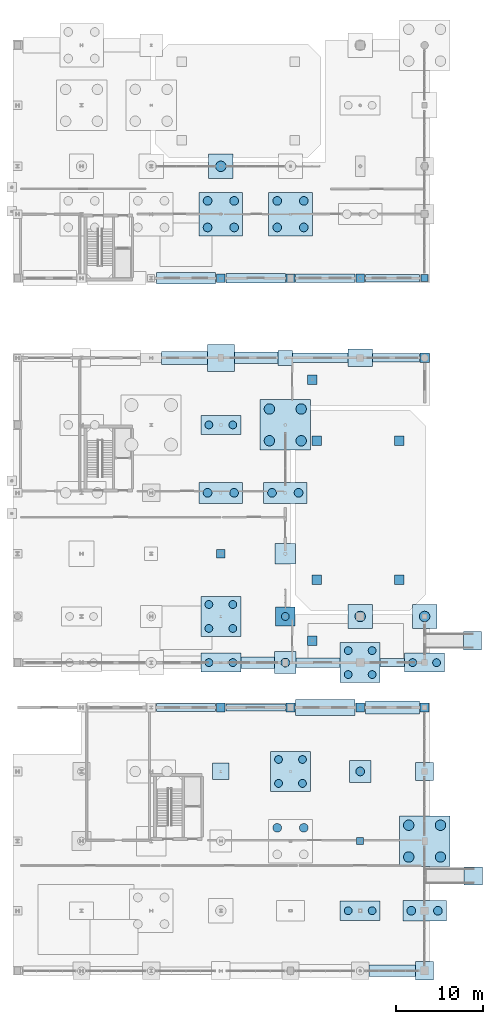
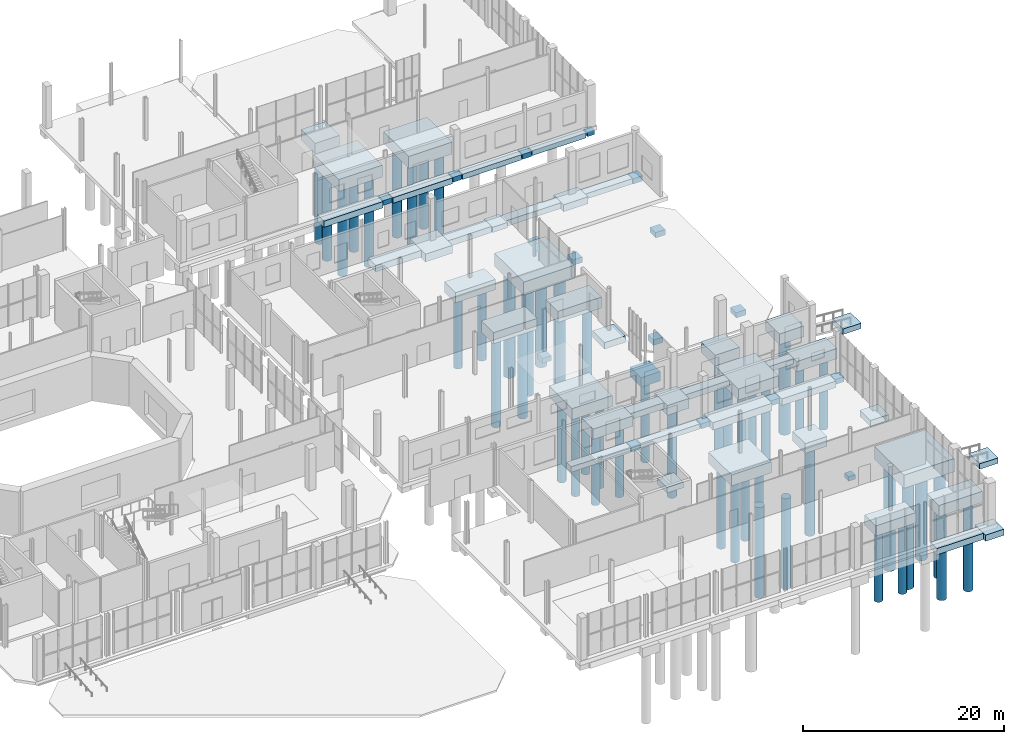
# One storey, part 3 of 87: 62 footings, 50 piles.
"""IFC4 building model written with IfcOpenShell, lengths in metres."""

from ifc_helpers import new_model, si_unit, direction, frame, origin, origin_2d, place, context, subcontext, project, spatial, rectangle, circle, extrude, material, material_profile, profile_set, type_object, element, save


model = new_model("IFC4")

# Units and contexts
model_context = context("Model", 3, precision=1e-05, world=origin(), true_north=direction((0.0, 1.0)))
body_context = subcontext(model_context, "Body", "Model", "MODEL_VIEW")
ifc_project = project(units=[si_unit("LENGTHUNIT", "METRE"), si_unit("AREAUNIT", "SQUARE_METRE"), si_unit("VOLUMEUNIT", "CUBIC_METRE"), si_unit("PLANEANGLEUNIT", "RADIAN"), si_unit("MASSUNIT", "GRAM", prefix="KILO")], contexts=[model_context])

# Site, building, storey
site_placement = place(None, origin())
site = spatial("IfcSite", under=ifc_project, at=site_placement, CompositionType="ELEMENT")
building_placement = place(site_placement, origin())
building = spatial("IfcBuilding", under=site, at=building_placement, Name="Brisemont Oceanarium", CompositionType="ELEMENT")
storey_placement = place(building_placement, origin())
storey = spatial("IfcBuildingStorey", under=building, at=storey_placement, Name="L00", CompositionType="ELEMENT", Elevation=0.0)

# Footings
ifc_material_1 = material(Name="Concrete C40/50", Category="concrete")
footing_type_1 = type_object("IfcFootingType", Name="FTG-PAD-1000", PredefinedType="PAD_FOOTING", material=ifc_material_1)
for number, where, z_axis, x_axis, name in (
    (1, (136.0, 31.35009765625, -1.10009765625), (0.0, 0.0, 1.0), (1.0, 0.0, 0.0), "PF-15 spread footing at (136.0,31.4)"),
    (2, (144.0, 31.35009765625, -1.10009765625), (0.0, 0.0, 1.0), (1.0, 0.0, 0.0), "PF-15 spread footing at (144.0,31.4)"),
    (3, (152.0, 31.35009765625, -1.10009765625), (0.0, 0.0, 1.0), (1.0, 0.0, 0.0), "PF-15 spread footing at (152.0,31.4)"),
    (4, (159.39990234375, 31.35009765625, -1.10009765625), (0.0, 0.0, 1.0), (1.0, 0.0, 0.0), "PF-15 spread footing at (159.4,31.4)"),
    (5, (136.0, 49.0, -1.06005859375), (0.0, 0.0, 1.0), (1.0, 0.0, 0.0), "PF-15 spread footing at (136.0,49.0)"),
    (6, (136.0, 80.64990234375, -1.10009765625), (0.0, 0.0, 1.0), (1.0, 0.0, 0.0), "PF-15 spread footing at (136.0,80.7)"),
    (7, (144.0, 80.64990234375, -1.10009765625), (0.0, 0.0, 1.0), (1.0, 0.0, 0.0), "PF-15 spread footing at (144.0,80.7)"),
    (8, (152.0, 80.64990234375, -1.10009765625), (0.0, 0.0, 1.0), (1.0, 0.0, 0.0), "PF-15 spread footing at (152.0,80.7)"),
):
    element("IfcFooting", number, at=place(storey_placement, frame(where, z_axis=z_axis, x_axis=x_axis)), inside=storey, type_object=footing_type_1, Name=name, PredefinedType="PAD_FOOTING", context=body_context, shape_type="SweptSolid", body=[
        extrude(rectangle(XDim=1.0, YDim=1.0, at=origin_2d()), origin(), (0.0, 0.0, 1.0), 0.60009765625),
    ])
ifc_material_2 = material(Name="Concrete C40/50", Category="concrete")
footing_type_2 = type_object("IfcFootingType", Name="FTG-PAD-1100", PredefinedType="PAD_FOOTING", material=ifc_material_2)
for number, where, z_axis, x_axis, name in (
    (9, (159.39990234375, 71.5, -1.10986328125), (0.0, 0.0, 1.0), (1.0, 0.0, 0.0), "PF-14 spread footing at (159.4,71.5)"),
    (10, (147.0, 46.0, -0.869873046875), (0.0, 0.0, 1.0), (1.0, 0.0, 0.0), "Apron support pad MCRT-1"),
    (11, (156.5, 46.0, -0.869873046875), (0.0, 0.0, 1.0), (1.0, 0.0, 0.0), "Apron support pad MCRT-2"),
    (12, (147.0, 62.0, -0.869873046875), (0.0, 0.0, 1.0), (1.0, 0.0, 0.0), "Apron support pad MCRT-3"),
    (13, (156.5, 62.0, -0.869873046875), (0.0, 0.0, 1.0), (1.0, 0.0, 0.0), "Apron support pad MCRT-4"),
    (14, (146.5, 39.0, -3.050048828125), (0.0, 0.0, 1.0), (1.0, 0.0, 0.0), "PF-14 spread footing at (146.5,39.0)"),
    (15, (146.5, 69.0, -3.050048828125), (0.0, 0.0, 1.0), (1.0, 0.0, 0.0), "PF-14 spread footing at (146.5,69.0)"),
):
    element("IfcFooting", number, at=place(storey_placement, frame(where, z_axis=z_axis, x_axis=x_axis)), inside=storey, type_object=footing_type_2, Name=name, PredefinedType="PAD_FOOTING", context=body_context, shape_type="SweptSolid", body=[
        extrude(rectangle(XDim=1.10009765625, YDim=1.10009765625, at=origin_2d()), origin(), (0.0, 0.0, 1.0), 0.64990234375),
    ])
ifc_material_3 = material(Name="Concrete C40/50", Category="concrete")
footing_type_3 = type_object("IfcFootingType", Name="FTG-PAD-1700", PredefinedType="PAD_FOOTING", material=ifc_material_3)
footing_1_placement = place(storey_placement, frame((143.39990234375, 71.5, -1.10986328125), z_axis=(0.0, 0.0, 1.0), x_axis=(1.0, 0.0, 0.0)))
element("IfcFooting", 16, at=footing_1_placement, inside=storey, type_object=footing_type_3, Name="PF-08 spread footing at (143.4,71.5)", PredefinedType="PAD_FOOTING", context=body_context, shape_type="SweptSolid", body=[
    extrude(rectangle(XDim=1.699951171875, YDim=1.699951171875, at=origin_2d()), origin(), (0.0, 0.0, 1.0), 0.64990234375),
])
ifc_material_4 = material(Name="Concrete C40/50", Category="concrete")
footing_type_4 = type_object("IfcFootingType", Name="FTG-PAD-1900", PredefinedType="PAD_FOOTING", material=ifc_material_4)
footing_2_placement = place(storey_placement, frame((136.0, 24.0, -1.2001953125), z_axis=(0.0, 0.0, 1.0), x_axis=(1.0, 0.0, 0.0)))
element("IfcFooting", 17, at=footing_2_placement, inside=storey, type_object=footing_type_4, Name="PF-07 spread footing at (136.0,24.0)", PredefinedType="PAD_FOOTING", context=body_context, shape_type="SweptSolid", body=[
    extrude(rectangle(XDim=1.89990234375, YDim=1.89990234375, at=origin_2d()), origin(), (0.0, 0.0, 1.0), 0.699951171875),
])
ifc_material_5 = material(Name="Concrete C40/50", Category="concrete")
footing_type_5 = type_object("IfcFootingType", Name="FTG-PAD-2100", PredefinedType="PAD_FOOTING", material=ifc_material_5)
for number, where, z_axis, x_axis, name in (
    (18, (159.39990234375, 1.10009765625, -1.25), (0.0, 0.0, 1.0), (1.0, 0.0, 0.0), "PF-06 spread footing at (159.4,1.1)"),
    (19, (159.39990234375, 24.0, -1.25), (0.0, 0.0, 1.0), (1.0, 0.0, 0.0), "PF-06 spread footing at (159.4,24.0)"),
):
    element("IfcFooting", number, at=place(storey_placement, frame(where, z_axis=z_axis, x_axis=x_axis)), inside=storey, type_object=footing_type_5, Name=name, PredefinedType="PAD_FOOTING", context=body_context, shape_type="SweptSolid", body=[
        extrude(rectangle(XDim=2.10009765625, YDim=2.10009765625, at=origin_2d()), origin(), (0.0, 0.0, 1.0), 0.75),
    ])
for number, where, z_axis, x_axis, name in (
    (20, (165.0, 12.0, -1.079833984375), (0.0, 0.0, 1.0), (1.0, 0.0, 0.0), "Ramp abutment pad 4A"),
    (21, (164.89990234375, 39.0, -1.079833984375), (0.0, 0.0, 1.0), (1.0, 0.0, 0.0), "Ramp abutment pad 5A"),
):
    element("IfcFooting", number, at=place(storey_placement, frame(where, z_axis=z_axis, x_axis=x_axis)), inside=storey, type_object=footing_type_5, Name=name, PredefinedType="PAD_FOOTING", context=body_context, shape_type="SweptSolid", body=[
        extrude(rectangle(XDim=2.10009765625, YDim=2.10009765625, at=origin_2d()), origin(), (0.0, 0.0, 1.0), 0.64990234375),
    ])
ifc_material_6 = material(Name="Concrete C40/50", Category="concrete")
footing_type_6 = type_object("IfcFootingType", Name="FTG-PAD-2400", PredefinedType="PAD_FOOTING", material=ifc_material_6)
footing_3_placement = place(storey_placement, frame((143.39990234375, 49.0, -1.26025390625), z_axis=(0.0, 0.0, 1.0), x_axis=(1.0, 0.0, 0.0)))
element("IfcFooting", 22, at=footing_3_placement, inside=storey, type_object=footing_type_6, Name="PF-05 spread footing at (143.4,49.0)", PredefinedType="PAD_FOOTING", context=body_context, shape_type="SweptSolid", body=[
    extrude(rectangle(XDim=2.39990234375, YDim=2.39990234375, at=origin_2d()), origin(), (0.0, 0.0, 1.0), 0.800048828125),
])
ifc_material_7 = material(Name="Concrete C40/50", Category="concrete")
footing_type_7 = type_object("IfcFootingType", Name="FTG-PAD-2800X2000", PredefinedType="PAD_FOOTING", material=ifc_material_7)
footing_4_placement = place(storey_placement, frame((152.0, 71.5, -1.31005859375), z_axis=(0.0, 0.0, 1.0), x_axis=(1.0, 0.0, 0.0)))
element("IfcFooting", 23, at=footing_4_placement, inside=storey, type_object=footing_type_7, Name="PF-11 spread footing at (152.0,71.5)", PredefinedType="PAD_FOOTING", context=body_context, shape_type="SweptSolid", body=[
    extrude(rectangle(XDim=2.800048828125, YDim=2.0, at=origin_2d()), origin(), (0.0, 0.0, 1.0), 0.85009765625),
])
ifc_material_8 = material(Name="Concrete C40/50", Category="concrete")
footing_type_8 = type_object("IfcFootingType", Name="FTG-PAD-3100", PredefinedType="PAD_FOOTING", material=ifc_material_8)
footing_5_placement = place(storey_placement, frame((136.0, 71.5, -1.41015625), z_axis=(0.0, 0.0, 1.0), x_axis=(1.0, 0.0, 0.0)))
element("IfcFooting", 24, at=footing_5_placement, inside=storey, type_object=footing_type_8, Name="PF-02 spread footing at (136.0,71.5)", PredefinedType="PAD_FOOTING", context=body_context, shape_type="SweptSolid", body=[
    extrude(rectangle(XDim=3.10009765625, YDim=3.10009765625, at=origin_2d()), origin(), (0.0, 0.0, 1.0), 0.949951171875),
])
ifc_material_9 = material(Name="Concrete C40/50", Category="concrete")
footing_type_9 = type_object("IfcFootingType", Name="FTG-PAD-800", PredefinedType="PAD_FOOTING", material=ifc_material_9)
for number, where, z_axis, x_axis, name in (
    (25, (152.0, 16.0, -1.0498046875), (0.0, 0.0, 1.0), (1.0, 0.0, 0.0), "PF-16 spread footing at (152.0,16.0)"),
    (26, (159.39990234375, 80.64990234375, -1.0498046875), (0.0, 0.0, 1.0), (1.0, 0.0, 0.0), "PF-16 spread footing at (159.4,80.7)"),
):
    element("IfcFooting", number, at=place(storey_placement, frame(where, z_axis=z_axis, x_axis=x_axis)), inside=storey, type_object=footing_type_9, Name=name, PredefinedType="PAD_FOOTING", context=body_context, shape_type="SweptSolid", body=[
        extrude(rectangle(XDim=0.800048828125, YDim=0.800048828125, at=origin_2d()), origin(), (0.0, 0.0, 1.0), 0.550048828125),
    ])
ifc_material_10 = material(Name="Concrete C40/50", Category="concrete")
footing_type_10 = type_object("IfcFootingType", Name="FTG-PC-1P-2200", PredefinedType="PILE_CAP", material=ifc_material_10)
footing_6_placement = place(storey_placement, frame((143.39990234375, 41.800048828125, -1.60986328125), z_axis=(0.0, 0.0, 1.0), x_axis=(1.0, 0.0, 0.0)))
element("IfcFooting", 27, at=footing_6_placement, inside=storey, type_object=footing_type_10, Name="PC-10 pile cap at (143.4,41.8)", PredefinedType="PILE_CAP", context=body_context, shape_type="SweptSolid", body=[
    extrude(rectangle(XDim=2.199951171875, YDim=2.199951171875, at=origin_2d()), origin(), (0.0, 0.0, 1.0), 1.14990234375),
])
ifc_material_11 = material(Name="Concrete C40/50", Category="concrete")
footing_type_11 = type_object("IfcFootingType", Name="FTG-PC-1P-2500", PredefinedType="PILE_CAP", material=ifc_material_11)
for number, where, z_axis, x_axis, name in (
    (28, (152.0, 24.0, -1.7001953125), (0.0, 0.0, 1.0), (1.0, 0.0, 0.0), "PC-09 pile cap at (152.0,24.0)"),
    (29, (143.39990234375, 36.5, -1.66015625), (0.0, 0.0, 1.0), (1.0, 0.0, 0.0), "PC-09 pile cap at (143.4,36.5)"),
):
    element("IfcFooting", number, at=place(storey_placement, frame(where, z_axis=z_axis, x_axis=x_axis)), inside=storey, type_object=footing_type_11, Name=name, PredefinedType="PILE_CAP", context=body_context, shape_type="SweptSolid", body=[
        extrude(rectangle(XDim=2.5, YDim=2.5, at=origin_2d()), origin(), (0.0, 0.0, 1.0), 1.199951171875),
    ])
ifc_material_12 = material(Name="Concrete C40/50", Category="concrete")
footing_type_12 = type_object("IfcFootingType", Name="FTG-PC-1P-2800", PredefinedType="PILE_CAP", material=ifc_material_12)
for number, where, z_axis, x_axis, name in (
    (30, (152.0, 41.800048828125, -1.76025390625), (0.0, 0.0, 1.0), (1.0, 0.0, 0.0), "PC-08 pile cap at (152.0,41.8)"),
    (31, (159.39990234375, 41.800048828125, -1.76025390625), (0.0, 0.0, 1.0), (1.0, 0.0, 0.0), "PC-08 pile cap at (159.4,41.8)"),
    (32, (136.0, 93.5, -1.7998046875), (0.0, 0.0, 1.0), (1.0, 0.0, 0.0), "PC-08 pile cap at (136.0,93.5)"),
):
    element("IfcFooting", number, at=place(storey_placement, frame(where, z_axis=z_axis, x_axis=x_axis)), inside=storey, type_object=footing_type_12, Name=name, PredefinedType="PILE_CAP", context=body_context, shape_type="SweptSolid", body=[
        extrude(rectangle(XDim=2.800048828125, YDim=2.800048828125, at=origin_2d()), origin(), (0.0, 0.0, 1.0), 1.300048828125),
    ])
ifc_material_13 = material(Name="Concrete C40/50", Category="concrete")
footing_type_13 = type_object("IfcFootingType", Name="FTG-PC-2P-4600", PredefinedType="PILE_CAP", material=ifc_material_13)
for number, where, z_axis, x_axis, name in (
    (33, (152.0, 8.0, -1.75), (0.0, 0.0, 1.0), (1.0, 0.0, 0.0), "PC-07 pile cap at (152.0,8.0)"),
    (34, (136.0, 36.5, -1.7099609375), (0.0, 0.0, 1.0), (1.0, 0.0, 0.0), "PC-07 pile cap at (136.0,36.5)"),
    (35, (136.0, 63.800048828125, -1.7099609375), (0.0, 0.0, 1.0), (1.0, 0.0, 0.0), "PC-07 pile cap at (136.0,63.8)"),
    (36, (159.39990234375, 36.5, -1.7099609375), (0.0, 0.0, 1.0), (1.0, 0.0, 0.0), "PC-07 pile cap at (159.4,36.5)"),
):
    element("IfcFooting", number, at=place(storey_placement, frame(where, z_axis=z_axis, x_axis=x_axis)), inside=storey, type_object=footing_type_13, Name=name, PredefinedType="PILE_CAP", context=body_context, shape_type="SweptSolid", body=[
        extrude(rectangle(XDim=4.60009765625, YDim=2.199951171875, at=origin_2d()), origin(), (0.0, 0.0, 1.0), 1.25),
    ])
ifc_material_14 = material(Name="Concrete C40/50", Category="concrete")
footing_type_14 = type_object("IfcFootingType", Name="FTG-PC-2P-5000", PredefinedType="PILE_CAP", material=ifc_material_14)
for number, where, z_axis, x_axis, name in (
    (37, (159.39990234375, 8.0, -1.85009765625), (0.0, 0.0, 1.0), (1.0, 0.0, 0.0), "PC-06 pile cap at (159.4,8.0)"),
    (38, (136.0, 56.0, -1.81005859375), (0.0, 0.0, 1.0), (1.0, 0.0, 0.0), "PC-06 pile cap at (136.0,56.0)"),
    (39, (143.39990234375, 56.0, -1.81005859375), (0.0, 0.0, 1.0), (1.0, 0.0, 0.0), "PC-06 pile cap at (143.4,56.0)"),
):
    element("IfcFooting", number, at=place(storey_placement, frame(where, z_axis=z_axis, x_axis=x_axis)), inside=storey, type_object=footing_type_14, Name=name, PredefinedType="PILE_CAP", context=body_context, shape_type="SweptSolid", body=[
        extrude(rectangle(XDim=5.0, YDim=2.39990234375, at=origin_2d()), origin(), (0.0, 0.0, 1.0), 1.35009765625),
    ])
ifc_material_15 = material(Name="Concrete C40/50", Category="concrete")
footing_type_15 = type_object("IfcFootingType", Name="FTG-PC-4P-4600", PredefinedType="PILE_CAP", material=ifc_material_15)
for number, where, z_axis, x_axis, name in (
    (40, (144.0, 24.0, -1.85009765625), (0.0, 0.0, 1.0), (1.0, 0.0, 0.0), "PC-04 pile cap at (144.0,24.0)"),
    (41, (136.0, 41.800048828125, -1.81005859375), (0.0, 0.0, 1.0), (1.0, 0.0, 0.0), "PC-04 pile cap at (136.0,41.8)"),
    (42, (152.0, 36.5, -1.81005859375), (0.0, 0.0, 1.0), (1.0, 0.0, 0.0), "PC-04 pile cap at (152.0,36.5)"),
):
    element("IfcFooting", number, at=place(storey_placement, frame(where, z_axis=z_axis, x_axis=x_axis)), inside=storey, type_object=footing_type_15, Name=name, PredefinedType="PILE_CAP", context=body_context, shape_type="SweptSolid", body=[
        extrude(rectangle(XDim=4.60009765625, YDim=4.60009765625, at=origin_2d()), origin(), (0.0, 0.0, 1.0), 1.35009765625),
    ])
ifc_material_16 = material(Name="Concrete C40/50", Category="concrete")
footing_type_16 = type_object("IfcFootingType", Name="FTG-PC-4P-5000", PredefinedType="PILE_CAP", material=ifc_material_16)
for number, where, z_axis, x_axis, name in (
    (43, (136.0, 88.0, -1.9501953125), (0.0, 0.0, 1.0), (1.0, 0.0, 0.0), "PC-03 pile cap at (136.0,88.0)"),
    (44, (144.0, 88.0, -1.9501953125), (0.0, 0.0, 1.0), (1.0, 0.0, 0.0), "PC-03 pile cap at (144.0,88.0)"),
):
    element("IfcFooting", number, at=place(storey_placement, frame(where, z_axis=z_axis, x_axis=x_axis)), inside=storey, type_object=footing_type_16, Name=name, PredefinedType="PILE_CAP", context=body_context, shape_type="SweptSolid", body=[
        extrude(rectangle(XDim=5.0, YDim=5.0, at=origin_2d()), origin(), (0.0, 0.0, 1.0), 1.449951171875),
    ])
ifc_material_17 = material(Name="Concrete C40/50", Category="concrete")
footing_type_17 = type_object("IfcFootingType", Name="FTG-PC-4P-5800", PredefinedType="PILE_CAP", material=ifc_material_17)
for number, where, z_axis, x_axis, name in (
    (45, (159.39990234375, 16.0, -2.10009765625), (0.0, 0.0, 1.0), (1.0, 0.0, 0.0), "PC-02 pile cap at (159.4,16.0)"),
    (46, (143.39990234375, 63.800048828125, -2.06005859375), (0.0, 0.0, 1.0), (1.0, 0.0, 0.0), "PC-02 pile cap at (143.4,63.8)"),
):
    element("IfcFooting", number, at=place(storey_placement, frame(where, z_axis=z_axis, x_axis=x_axis)), inside=storey, type_object=footing_type_17, Name=name, PredefinedType="PILE_CAP", context=body_context, shape_type="SweptSolid", body=[
        extrude(rectangle(XDim=5.800048828125, YDim=5.800048828125, at=origin_2d()), origin(), (0.0, 0.0, 1.0), 1.60009765625),
    ])
ifc_material_18 = material(Name="Concrete C40/50", Category="concrete")
footing_type_18 = type_object("IfcFootingType", Name="FTG-SF-1100X700", PredefinedType="STRIP_FOOTING", material=ifc_material_18)
footing_7_placement = place(storey_placement, frame((147.175048828125, 36.5, -1.16015625), z_axis=(0.0, 0.0, 1.0), x_axis=(1.0, 0.0, 0.0)))
element("IfcFooting", 47, at=footing_7_placement, inside=storey, type_object=footing_type_18, Name="SF-04 continuous strip footing", PredefinedType="STRIP_FOOTING", context=body_context, shape_type="SweptSolid", body=[
    extrude(rectangle(XDim=5.050048828125, YDim=1.10009765625, at=origin_2d()), origin(), (0.0, 0.0, 1.0), 0.699951171875),
])
footing_8_placement = place(storey_placement, frame((147.425048828125, 71.5, -1.16015625), z_axis=(0.0, 0.0, 1.0), x_axis=(1.0, 0.0, 0.0)))
element("IfcFooting", 48, at=footing_8_placement, inside=storey, type_object=footing_type_18, Name="SF-04 continuous strip footing", PredefinedType="STRIP_FOOTING", context=body_context, shape_type="SweptSolid", body=[
    extrude(rectangle(XDim=6.35009765625, YDim=1.10009765625, at=origin_2d()), origin(), (0.0, 0.0, 1.0), 0.699951171875),
])
footing_9_placement = place(storey_placement, frame((140.0, 80.64990234375, -1.2001953125), z_axis=(0.0, 0.0, 1.0), x_axis=(1.0, 0.0, 0.0)))
element("IfcFooting", 49, at=footing_9_placement, inside=storey, type_object=footing_type_18, Name="SF-04 continuous strip footing", PredefinedType="STRIP_FOOTING", context=body_context, shape_type="SweptSolid", body=[
    extrude(rectangle(XDim=6.800048828125, YDim=1.10009765625, at=origin_2d()), origin(), (0.0, 0.0, 1.0), 0.699951171875),
])
ifc_material_19 = material(Name="Concrete C40/50", Category="concrete")
footing_type_19 = type_object("IfcFootingType", Name="FTG-SF-1300X750", PredefinedType="STRIP_FOOTING", material=ifc_material_19)
footing_10_placement = place(storey_placement, frame((155.675048828125, 1.10009765625, -1.25), z_axis=(0.0, 0.0, 1.0), x_axis=(1.0, 0.0, 0.0)))
element("IfcFooting", 50, at=footing_10_placement, inside=storey, type_object=footing_type_19, Name="SF-03 continuous strip footing", PredefinedType="STRIP_FOOTING", context=body_context, shape_type="SweptSolid", body=[
    extrude(rectangle(XDim=5.35009765625, YDim=1.300048828125, at=origin_2d()), origin(), (0.0, 0.0, 1.0), 0.75),
])
footing_11_placement = place(storey_placement, frame((140.22509765625, 36.5, -1.2099609375), z_axis=(0.0, 0.0, 1.0), x_axis=(1.0, 0.0, 0.0)))
element("IfcFooting", 51, at=footing_11_placement, inside=storey, type_object=footing_type_19, Name="SF-03 continuous strip footing", PredefinedType="STRIP_FOOTING", context=body_context, shape_type="SweptSolid", body=[
    extrude(rectangle(XDim=3.85009765625, YDim=1.300048828125, at=origin_2d()), origin(), (0.0, 0.0, 1.0), 0.75),
])
footing_12_placement = place(storey_placement, frame((140.050048828125, 71.5, -1.2099609375), z_axis=(0.0, 0.0, 1.0), x_axis=(1.0, 0.0, 0.0)))
element("IfcFooting", 52, at=footing_12_placement, inside=storey, type_object=footing_type_19, Name="SF-03 continuous strip footing", PredefinedType="STRIP_FOOTING", context=body_context, shape_type="SweptSolid", body=[
    extrude(rectangle(XDim=5.0, YDim=1.300048828125, at=origin_2d()), origin(), (0.0, 0.0, 1.0), 0.75),
])
footing_13_placement = place(storey_placement, frame((132.0, 80.64990234375, -1.25), z_axis=(0.0, 0.0, 1.0), x_axis=(1.0, 0.0, 0.0)))
element("IfcFooting", 53, at=footing_13_placement, inside=storey, type_object=footing_type_19, Name="SF-03 continuous strip footing", PredefinedType="STRIP_FOOTING", context=body_context, shape_type="SweptSolid", body=[
    extrude(rectangle(XDim=6.800048828125, YDim=1.300048828125, at=origin_2d()), origin(), (0.0, 0.0, 1.0), 0.75),
])
ifc_material_20 = material(Name="Concrete C40/50", Category="concrete")
footing_type_20 = type_object("IfcFootingType", Name="FTG-SF-1500X800", PredefinedType="STRIP_FOOTING", material=ifc_material_20)
footing_14_placement = place(storey_placement, frame((155.699951171875, 31.35009765625, -1.2998046875), z_axis=(0.0, 0.0, 1.0), x_axis=(1.0, 0.0, 0.0)))
element("IfcFooting", 54, at=footing_14_placement, inside=storey, type_object=footing_type_20, Name="SF-02 continuous strip footing", PredefinedType="STRIP_FOOTING", context=body_context, shape_type="SweptSolid", body=[
    extrude(rectangle(XDim=6.199951171875, YDim=1.5, at=origin_2d()), origin(), (0.0, 0.0, 1.0), 0.800048828125),
])
footing_15_placement = place(storey_placement, frame((131.824951171875, 71.5, -1.26025390625), z_axis=(0.0, 0.0, 1.0), x_axis=(1.0, 0.0, 0.0)))
element("IfcFooting", 55, at=footing_15_placement, inside=storey, type_object=footing_type_20, Name="SF-02 continuous strip footing", PredefinedType="STRIP_FOOTING", context=body_context, shape_type="SweptSolid", body=[
    extrude(rectangle(XDim=5.25, YDim=1.5, at=origin_2d()), origin(), (0.0, 0.0, 1.0), 0.800048828125),
])
ifc_material_21 = material(Name="Concrete C40/50", Category="concrete")
footing_type_21 = type_object("IfcFootingType", Name="FTG-SF-1800X900", PredefinedType="STRIP_FOOTING", material=ifc_material_21)
footing_16_placement = place(storey_placement, frame((148.0, 31.35009765625, -1.39990234375), z_axis=(0.0, 0.0, 1.0), x_axis=(1.0, 0.0, 0.0)))
element("IfcFooting", 56, at=footing_16_placement, inside=storey, type_object=footing_type_21, Name="SF-01 continuous strip footing", PredefinedType="STRIP_FOOTING", context=body_context, shape_type="SweptSolid", body=[
    extrude(rectangle(XDim=6.800048828125, YDim=1.800048828125, at=origin_2d()), origin(), (0.0, 0.0, 1.0), 0.89990234375),
])
ifc_material_22 = material(Name="Concrete C40/50", Category="concrete")
footing_type_22 = type_object("IfcFootingType", Name="FTG-SF-850X600", PredefinedType="STRIP_FOOTING", material=ifc_material_22)
footing_17_placement = place(storey_placement, frame((140.0, 31.35009765625, -1.10009765625), z_axis=(0.0, 0.0, 1.0), x_axis=(1.0, 0.0, 0.0)))
element("IfcFooting", 57, at=footing_17_placement, inside=storey, type_object=footing_type_22, Name="SF-06 continuous strip footing", PredefinedType="STRIP_FOOTING", context=body_context, shape_type="SweptSolid", body=[
    extrude(rectangle(XDim=6.800048828125, YDim=0.85009765625, at=origin_2d()), origin(), (0.0, 0.0, 1.0), 0.60009765625),
])
footing_18_placement = place(storey_placement, frame((155.699951171875, 80.64990234375, -1.10009765625), z_axis=(0.0, 0.0, 1.0), x_axis=(1.0, 0.0, 0.0)))
element("IfcFooting", 58, at=footing_18_placement, inside=storey, type_object=footing_type_22, Name="SF-06 continuous strip footing", PredefinedType="STRIP_FOOTING", context=body_context, shape_type="SweptSolid", body=[
    extrude(rectangle(XDim=6.199951171875, YDim=0.85009765625, at=origin_2d()), origin(), (0.0, 0.0, 1.0), 0.60009765625),
])
ifc_material_23 = material(Name="Concrete C40/50", Category="concrete")
footing_type_23 = type_object("IfcFootingType", Name="FTG-SF-950X650", PredefinedType="STRIP_FOOTING", material=ifc_material_23)
footing_19_placement = place(storey_placement, frame((132.0, 31.35009765625, -1.14990234375), z_axis=(0.0, 0.0, 1.0), x_axis=(1.0, 0.0, 0.0)))
element("IfcFooting", 59, at=footing_19_placement, inside=storey, type_object=footing_type_23, Name="SF-05 continuous strip footing", PredefinedType="STRIP_FOOTING", context=body_context, shape_type="SweptSolid", body=[
    extrude(rectangle(XDim=6.800048828125, YDim=0.949951171875, at=origin_2d()), origin(), (0.0, 0.0, 1.0), 0.64990234375),
])
footing_20_placement = place(storey_placement, frame((155.699951171875, 36.5, -1.10986328125), z_axis=(0.0, 0.0, 1.0), x_axis=(1.0, 0.0, 0.0)))
element("IfcFooting", 60, at=footing_20_placement, inside=storey, type_object=footing_type_23, Name="SF-05 continuous strip footing", PredefinedType="STRIP_FOOTING", context=body_context, shape_type="SweptSolid", body=[
    extrude(rectangle(XDim=2.800048828125, YDim=0.949951171875, at=origin_2d()), origin(), (0.0, 0.0, 1.0), 0.64990234375),
])
footing_21_placement = place(storey_placement, frame((156.10009765625, 71.5, -1.10986328125), z_axis=(0.0, 0.0, 1.0), x_axis=(1.0, 0.0, 0.0)))
element("IfcFooting", 61, at=footing_21_placement, inside=storey, type_object=footing_type_23, Name="SF-05 continuous strip footing", PredefinedType="STRIP_FOOTING", context=body_context, shape_type="SweptSolid", body=[
    extrude(rectangle(XDim=5.39990234375, YDim=0.949951171875, at=origin_2d()), origin(), (0.0, 0.0, 1.0), 0.64990234375),
])
footing_22_placement = place(storey_placement, frame((148.0, 80.64990234375, -1.14990234375), z_axis=(0.0, 0.0, 1.0), x_axis=(1.0, 0.0, 0.0)))
element("IfcFooting", 62, at=footing_22_placement, inside=storey, type_object=footing_type_23, Name="SF-05 continuous strip footing", PredefinedType="STRIP_FOOTING", context=body_context, shape_type="SweptSolid", body=[
    extrude(rectangle(XDim=6.800048828125, YDim=0.949951171875, at=origin_2d()), origin(), (0.0, 0.0, 1.0), 0.64990234375),
])

# Piles
ifc_material_24 = material(Name="Concrete C40/50", Category="concrete")
ifc_material_profile_1 = material_profile(ifc_material_24, circle(Radius=0.5, at=origin_2d()), Name="CIDH-D1000")
ifc_profile_set_1 = profile_set([ifc_material_profile_1], Name="Concrete C40/50")
pile_type_1 = type_object("IfcPileType", Name="PIL-CIDH-1000-11", PredefinedType="BORED", material=ifc_profile_set_1)
for number, where, z_axis, x_axis, name in (
    (63, (142.47509765625, 17.52490234375, -1.85009765625), (0.0, 0.0, -1.0), (1.0, 0.0, 0.0), "P-04 rock-socketed shaft 3"),
    (64, (145.52490234375, 17.52490234375, -1.85009765625), (0.0, 0.0, -1.0), (1.0, 0.0, 0.0), "P-04 rock-socketed shaft 4"),
    (65, (152.0, 24.0, -1.60009765625), (0.0, 0.0, -1.0), (1.0, 0.0, 0.0), "P-04 rock-socketed shaft 1"),
    (66, (157.875, 8.0, -1.75), (0.0, 0.0, -1.0), (1.0, 0.0, 0.0), "P-04 rock-socketed shaft 1"),
    (67, (160.925048828125, 8.0, -1.75), (0.0, 0.0, -1.0), (1.0, 0.0, 0.0), "P-04 rock-socketed shaft 2"),
    (68, (134.47509765625, 56.0, -1.7099609375), (0.0, 0.0, -1.0), (1.0, 0.0, 0.0), "P-04 rock-socketed shaft 1"),
    (69, (137.52490234375, 56.0, -1.7099609375), (0.0, 0.0, -1.0), (1.0, 0.0, 0.0), "P-04 rock-socketed shaft 2"),
    (70, (143.39990234375, 36.5, -1.56005859375), (0.0, 0.0, -1.0), (1.0, 0.0, 0.0), "P-04 rock-socketed shaft 1"),
    (71, (141.875, 56.0, -1.7099609375), (0.0, 0.0, -1.0), (1.0, 0.0, 0.0), "P-04 rock-socketed shaft 1"),
    (72, (144.925048828125, 56.0, -1.7099609375), (0.0, 0.0, -1.0), (1.0, 0.0, 0.0), "P-04 rock-socketed shaft 2"),
    (73, (134.47509765625, 86.47509765625, -1.85009765625), (0.0, 0.0, -1.0), (1.0, 0.0, 0.0), "P-04 rock-socketed shaft 1"),
    (74, (137.52490234375, 86.47509765625, -1.85009765625), (0.0, 0.0, -1.0), (1.0, 0.0, 0.0), "P-04 rock-socketed shaft 2"),
    (75, (134.47509765625, 89.52490234375, -1.85009765625), (0.0, 0.0, -1.0), (1.0, 0.0, 0.0), "P-04 rock-socketed shaft 3"),
    (76, (137.52490234375, 89.52490234375, -1.85009765625), (0.0, 0.0, -1.0), (1.0, 0.0, 0.0), "P-04 rock-socketed shaft 4"),
    (77, (142.47509765625, 86.47509765625, -1.85009765625), (0.0, 0.0, -1.0), (1.0, 0.0, 0.0), "P-04 rock-socketed shaft 1"),
    (78, (145.52490234375, 86.47509765625, -1.85009765625), (0.0, 0.0, -1.0), (1.0, 0.0, 0.0), "P-04 rock-socketed shaft 2"),
    (79, (142.47509765625, 89.52490234375, -1.85009765625), (0.0, 0.0, -1.0), (1.0, 0.0, 0.0), "P-04 rock-socketed shaft 3"),
    (80, (145.52490234375, 89.52490234375, -1.85009765625), (0.0, 0.0, -1.0), (1.0, 0.0, 0.0), "P-04 rock-socketed shaft 4"),
):
    element("IfcPile", number, at=place(storey_placement, frame(where, z_axis=z_axis, x_axis=x_axis)), inside=storey, type_object=pile_type_1, Name=name, PredefinedType="BORED", context=body_context, shape_type="SweptSolid", body=[
        extrude(circle(Radius=0.5, at=origin_2d()), origin(), (0.0, 0.0, 1.0), 11.0),
    ])
ifc_material_25 = material(Name="Concrete C40/50", Category="concrete")
ifc_material_profile_2 = material_profile(ifc_material_25, circle(Radius=0.60009765625, at=origin_2d()), Name="CIDH-D1200")
ifc_profile_set_2 = profile_set([ifc_material_profile_2], Name="Concrete C40/50")
pile_type_2 = type_object("IfcPileType", Name="PIL-CIDH-1200-12", PredefinedType="BORED", material=ifc_profile_set_2)
for number, where, z_axis, x_axis, name in (
    (81, (152.0, 41.800048828125, -1.659912109375), (0.0, 0.0, -1.0), (1.0, 0.0, 0.0), "P-03 rock-socketed shaft 1"),
    (82, (159.39990234375, 41.800048828125, -1.659912109375), (0.0, 0.0, -1.0), (1.0, 0.0, 0.0), "P-03 rock-socketed shaft 1"),
    (83, (136.0, 93.5, -1.699951171875), (0.0, 0.0, -1.0), (1.0, 0.0, 0.0), "P-03 rock-socketed shaft 1"),
):
    element("IfcPile", number, at=place(storey_placement, frame(where, z_axis=z_axis, x_axis=x_axis)), inside=storey, type_object=pile_type_2, Name=name, PredefinedType="BORED", context=body_context, shape_type="SweptSolid", body=[
        extrude(circle(Radius=0.60009765625, at=origin_2d()), origin(), (0.0, 0.0, 1.0), 12.0),
    ])
ifc_material_26 = material(Name="Concrete C40/50", Category="concrete")
ifc_material_profile_3 = material_profile(ifc_material_26, circle(Radius=0.60009765625, at=origin_2d()), Name="CIDH-D1200")
ifc_profile_set_3 = profile_set([ifc_material_profile_3], Name="Concrete C40/50")
pile_type_3 = type_object("IfcPileType", Name="PIL-CIDH-1200-13", PredefinedType="BORED", material=ifc_profile_set_3)
for number, where, z_axis, x_axis, name in (
    (84, (157.574951171875, 14.175048828125, -2.0), (0.0, 0.0, -1.0), (1.0, 0.0, 0.0), "P-02 rock-socketed shaft 1"),
    (85, (161.22509765625, 14.175048828125, -2.0), (0.0, 0.0, -1.0), (1.0, 0.0, 0.0), "P-02 rock-socketed shaft 2"),
    (86, (157.574951171875, 17.824951171875, -2.0), (0.0, 0.0, -1.0), (1.0, 0.0, 0.0), "P-02 rock-socketed shaft 3"),
    (87, (161.22509765625, 17.824951171875, -2.0), (0.0, 0.0, -1.0), (1.0, 0.0, 0.0), "P-02 rock-socketed shaft 4"),
    (88, (141.574951171875, 61.97509765625, -1.9599609375), (0.0, 0.0, -1.0), (1.0, 0.0, 0.0), "P-02 rock-socketed shaft 1"),
    (89, (145.22509765625, 61.97509765625, -1.9599609375), (0.0, 0.0, -1.0), (1.0, 0.0, 0.0), "P-02 rock-socketed shaft 2"),
    (90, (141.574951171875, 65.625, -1.9599609375), (0.0, 0.0, -1.0), (1.0, 0.0, 0.0), "P-02 rock-socketed shaft 3"),
    (91, (145.22509765625, 65.625, -1.9599609375), (0.0, 0.0, -1.0), (1.0, 0.0, 0.0), "P-02 rock-socketed shaft 4"),
):
    element("IfcPile", number, at=place(storey_placement, frame(where, z_axis=z_axis, x_axis=x_axis)), inside=storey, type_object=pile_type_3, Name=name, PredefinedType="BORED", context=body_context, shape_type="SweptSolid", body=[
        extrude(circle(Radius=0.60009765625, at=origin_2d()), origin(), (0.0, 0.0, 1.0), 13.0),
    ])
ifc_material_27 = material(Name="Concrete C40/50", Category="concrete")
ifc_material_profile_4 = material_profile(ifc_material_27, circle(Radius=0.449951171875, at=origin_2d()), Name="CIDH-D900")
ifc_profile_set_4 = profile_set([ifc_material_profile_4], Name="Concrete C40/50")
pile_type_4 = type_object("IfcPileType", Name="PIL-CIDH-900-09", PredefinedType="BORED", material=ifc_profile_set_4)
for number, where, z_axis, x_axis, name in (
    (92, (150.625, 8.0, -1.64990234375), (0.0, 0.0, -1.0), (1.0, 0.0, 0.0), "P-07 rock-socketed shaft 1"),
    (93, (153.375, 8.0, -1.64990234375), (0.0, 0.0, -1.0), (1.0, 0.0, 0.0), "P-07 rock-socketed shaft 2"),
    (94, (134.625, 36.5, -1.610107421875), (0.0, 0.0, -1.0), (1.0, 0.0, 0.0), "P-07 rock-socketed shaft 1"),
    (95, (137.375, 36.5, -1.610107421875), (0.0, 0.0, -1.0), (1.0, 0.0, 0.0), "P-07 rock-socketed shaft 2"),
    (96, (134.625, 63.800048828125, -1.610107421875), (0.0, 0.0, -1.0), (1.0, 0.0, 0.0), "P-07 rock-socketed shaft 1"),
    (97, (137.375, 63.800048828125, -1.610107421875), (0.0, 0.0, -1.0), (1.0, 0.0, 0.0), "P-07 rock-socketed shaft 2"),
    (98, (158.02490234375, 36.5, -1.610107421875), (0.0, 0.0, -1.0), (1.0, 0.0, 0.0), "P-07 rock-socketed shaft 1"),
    (99, (160.77490234375, 36.5, -1.610107421875), (0.0, 0.0, -1.0), (1.0, 0.0, 0.0), "P-07 rock-socketed shaft 2"),
):
    element("IfcPile", number, at=place(storey_placement, frame(where, z_axis=z_axis, x_axis=x_axis)), inside=storey, type_object=pile_type_4, Name=name, PredefinedType="BORED", context=body_context, shape_type="SweptSolid", body=[
        extrude(circle(Radius=0.449951171875, at=origin_2d()), origin(), (0.0, 0.0, 1.0), 8.800048828125),
    ])
ifc_material_28 = material(Name="Concrete C40/50", Category="concrete")
ifc_material_profile_5 = material_profile(ifc_material_28, circle(Radius=0.449951171875, at=origin_2d()), Name="CIDH-D900")
ifc_profile_set_5 = profile_set([ifc_material_profile_5], Name="Concrete C40/50")
pile_type_5 = type_object("IfcPileType", Name="PIL-CIDH-900-10", PredefinedType="BORED", material=ifc_profile_set_5)
for number, where, z_axis, x_axis, name in (
    (100, (142.625, 22.625, -1.75), (0.0, 0.0, -1.0), (1.0, 0.0, 0.0), "P-06 rock-socketed shaft 1"),
    (101, (145.375, 22.625, -1.75), (0.0, 0.0, -1.0), (1.0, 0.0, 0.0), "P-06 rock-socketed shaft 2"),
    (102, (142.625, 25.375, -1.75), (0.0, 0.0, -1.0), (1.0, 0.0, 0.0), "P-06 rock-socketed shaft 3"),
    (103, (145.375, 25.375, -1.75), (0.0, 0.0, -1.0), (1.0, 0.0, 0.0), "P-06 rock-socketed shaft 4"),
    (104, (134.625, 40.425048828125, -1.7099609375), (0.0, 0.0, -1.0), (1.0, 0.0, 0.0), "P-06 rock-socketed shaft 1"),
    (105, (137.375, 40.425048828125, -1.7099609375), (0.0, 0.0, -1.0), (1.0, 0.0, 0.0), "P-06 rock-socketed shaft 2"),
    (106, (134.625, 43.175048828125, -1.7099609375), (0.0, 0.0, -1.0), (1.0, 0.0, 0.0), "P-06 rock-socketed shaft 3"),
    (107, (137.375, 43.175048828125, -1.7099609375), (0.0, 0.0, -1.0), (1.0, 0.0, 0.0), "P-06 rock-socketed shaft 4"),
    (108, (143.39990234375, 41.800048828125, -1.510009765625), (0.0, 0.0, -1.0), (1.0, 0.0, 0.0), "P-06 rock-socketed shaft 1"),
    (109, (150.625, 35.125, -1.7099609375), (0.0, 0.0, -1.0), (1.0, 0.0, 0.0), "P-06 rock-socketed shaft 1"),
    (110, (153.375, 35.125, -1.7099609375), (0.0, 0.0, -1.0), (1.0, 0.0, 0.0), "P-06 rock-socketed shaft 2"),
    (111, (150.625, 37.875, -1.7099609375), (0.0, 0.0, -1.0), (1.0, 0.0, 0.0), "P-06 rock-socketed shaft 3"),
    (112, (153.375, 37.875, -1.7099609375), (0.0, 0.0, -1.0), (1.0, 0.0, 0.0), "P-06 rock-socketed shaft 4"),
):
    element("IfcPile", number, at=place(storey_placement, frame(where, z_axis=z_axis, x_axis=x_axis)), inside=storey, type_object=pile_type_5, Name=name, PredefinedType="BORED", context=body_context, shape_type="SweptSolid", body=[
        extrude(circle(Radius=0.449951171875, at=origin_2d()), origin(), (0.0, 0.0, 1.0), 10.0),
    ])

save(model, "model.ifc")
